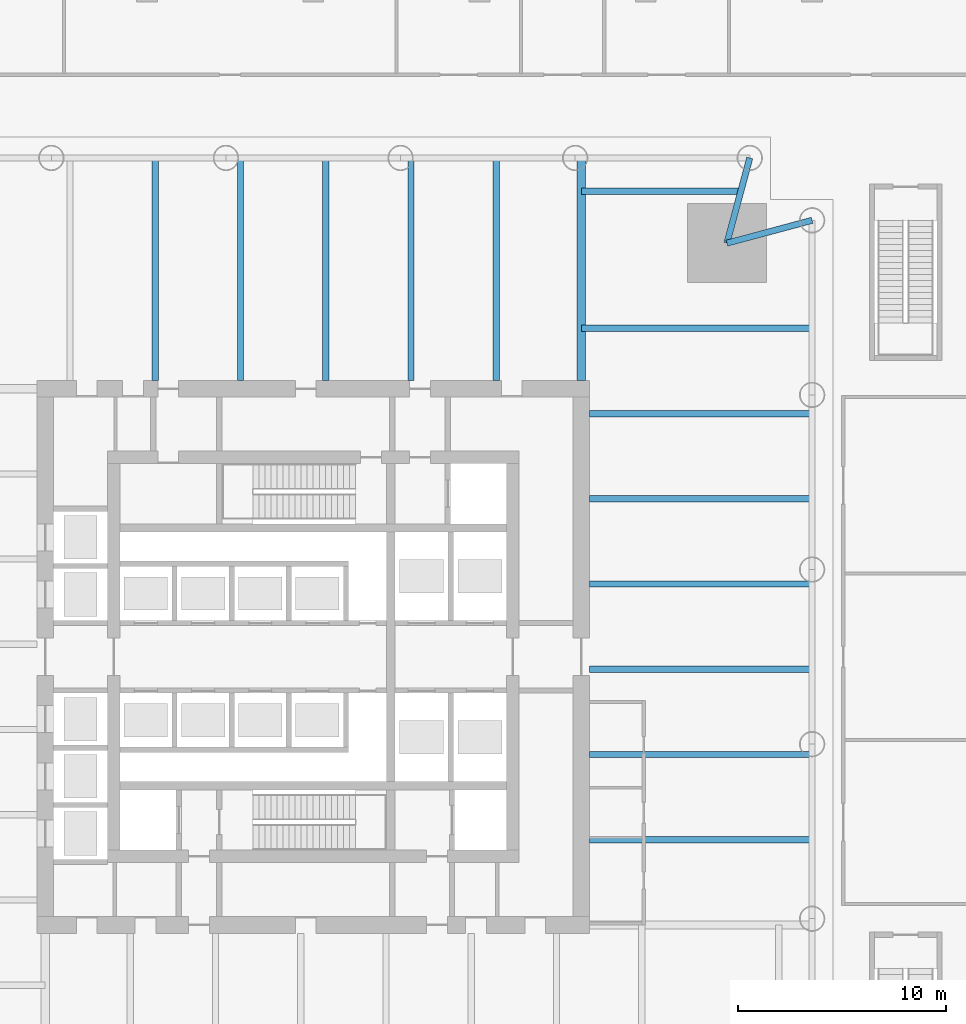
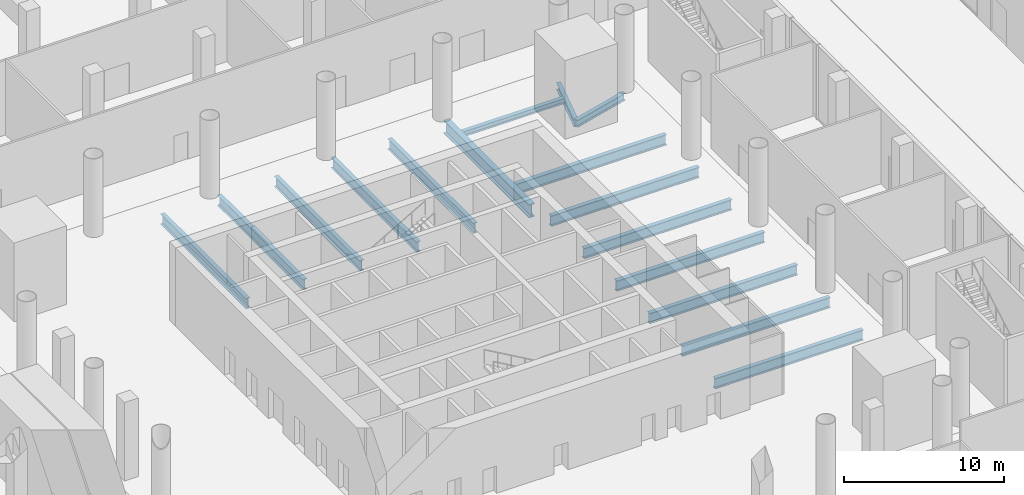
# One storey, part 8 of 39: 16 beams.
"""IFC4 building model written with IfcOpenShell, lengths in metres."""

from ifc_helpers import new_model, si_unit, direction, frame, origin, origin_2d, place, context, subcontext, project, spatial, i_section, extrude, material, material_profile, profile_set, type_object, element, save


model = new_model("IFC4")

# Units and contexts
model_context = context("Model", 3, precision=1e-05, world=origin(), true_north=direction((0.0, 1.0)))
body_context = subcontext(model_context, "Body", "Model", "MODEL_VIEW")
ifc_project = project(units=[si_unit("LENGTHUNIT", "METRE"), si_unit("AREAUNIT", "SQUARE_METRE"), si_unit("VOLUMEUNIT", "CUBIC_METRE"), si_unit("PLANEANGLEUNIT", "RADIAN"), si_unit("MASSUNIT", "GRAM", prefix="KILO")], contexts=[model_context])

# Site, building, storey
site_placement = place(None, origin())
site = spatial("IfcSite", under=ifc_project, at=site_placement, CompositionType="ELEMENT")
building_placement = place(site_placement, origin())
building = spatial("IfcBuilding", under=site, at=building_placement, Name="Ostroluk Exchange", CompositionType="ELEMENT")
storey_placement = place(building_placement, origin())
storey = spatial("IfcBuildingStorey", under=building, at=storey_placement, Name="L00", CompositionType="ELEMENT", Elevation=0.0)

# Beams
ifc_material_1 = material(Name="Steel S355", Category="steel")
ifc_material_profile_1 = material_profile(ifc_material_1, i_section(OverallWidth=0.300048828125, OverallDepth=0.550048828125, WebThickness=0.014892578125, FlangeThickness=0.029052734375, FilletRadius=0.027099609375, at=origin_2d()), Name="HEB 550")
ifc_profile_set_1 = profile_set([ifc_material_profile_1], Name="Steel S355")
beam_type_1 = type_object("IfcBeamType", Name="Corner edge beam HEB 550", PredefinedType="SPANDREL", material=ifc_profile_set_1)
for number, where, z_axis, x_axis, name in (
    (1, (64.89990234375, 65.89990234375, -0.574951171875), (0.965838624319, 0.259144268261, 0.0), (-0.259144268261, 0.965838624319, 0.0), "T1 east corner edge beam a"),
    (2, (64.89990234375, 65.89990234375, -0.574951171875), (0.259144268261, 0.965838624319, 0.0), (-0.965838624319, 0.259144268261, 0.0), "T1 east corner edge beam b"),
):
    element("IfcBeam", number, at=place(storey_placement, frame(where, z_axis=z_axis, x_axis=x_axis)), inside=storey, type_object=beam_type_1, Name=name, PredefinedType="SPANDREL", context=body_context, shape_type="SweptSolid", body=[
        extrude(i_section(OverallWidth=0.300048828125, OverallDepth=0.550048828125, WebThickness=0.014892578125, FlangeThickness=0.029052734375, FilletRadius=0.027099609375, at=origin_2d()), origin(), (0.0, 0.0, 1.0), 4.2451171875),
    ])
ifc_material_2 = material(Name="Steel S355", Category="steel")
ifc_material_profile_2 = material_profile(ifc_material_2, i_section(OverallWidth=0.300048828125, OverallDepth=0.39990234375, WebThickness=0.013427734375, FlangeThickness=0.02392578125, FilletRadius=0.027099609375, at=origin_2d()), Name="HEB 400")
ifc_profile_set_2 = profile_set([ifc_material_profile_2], Name="Steel S355")
beam_type_2 = type_object("IfcBeamType", Name="Floor beam HEB 400", PredefinedType="BEAM", material=ifc_profile_set_2)
beam_1_placement = place(storey_placement, frame((57.89990234375, 68.39990234375, -0.5), z_axis=(1.0, 0.0, 0.0), x_axis=(0.0, 1.0, 0.0)))
element("IfcBeam", 3, at=beam_1_placement, inside=storey, type_object=beam_type_2, Name="T1 east floor beam 8", PredefinedType="BEAM", context=body_context, shape_type="SweptSolid", body=[
    extrude(i_section(OverallWidth=0.300048828125, OverallDepth=0.39990234375, WebThickness=0.013427734375, FlangeThickness=0.02392578125, FilletRadius=0.027099609375, at=origin_2d()), origin(), (0.0, 0.0, 1.0), 7.6708984375),
])
ifc_material_3 = material(Name="Steel S355", Category="steel")
ifc_material_profile_3 = material_profile(ifc_material_3, i_section(OverallWidth=0.300048828125, OverallDepth=0.800048828125, WebThickness=0.017578125, FlangeThickness=0.032958984375, FilletRadius=0.030029296875, at=origin_2d()), Name="HEB 800")
ifc_profile_set_3 = profile_set([ifc_material_profile_3], Name="Steel S355")
beam_type_3 = type_object("IfcBeamType", Name="Floor beam HEB 800", PredefinedType="BEAM", material=ifc_profile_set_3)
for number, where, z_axis, x_axis, name in (
    (4, (58.300048828125, 37.199951171875, -0.699951171875), (1.0, 0.0, 0.0), (0.0, 1.0, 0.0), "T1 east floor beam 1"),
    (5, (58.300048828125, 41.300048828125, -0.699951171875), (1.0, 0.0, 0.0), (0.0, 1.0, 0.0), "T1 east floor beam 2"),
    (6, (58.300048828125, 45.39990234375, -0.699951171875), (1.0, 0.0, 0.0), (0.0, 1.0, 0.0), "T1 east floor beam 3"),
    (7, (58.300048828125, 49.5, -0.699951171875), (1.0, 0.0, 0.0), (0.0, 1.0, 0.0), "T1 east floor beam 4"),
    (8, (58.300048828125, 53.60009765625, -0.699951171875), (1.0, 0.0, 0.0), (0.0, 1.0, 0.0), "T1 east floor beam 5"),
    (9, (53.800048828125, 59.300048828125, -0.699951171875), (0.0, 1.0, 0.0), (-1.0, 0.0, 0.0), "T1 north floor beam 1"),
    (10, (49.699951171875, 59.300048828125, -0.699951171875), (0.0, 1.0, 0.0), (-1.0, 0.0, 0.0), "T1 north floor beam 2"),
    (11, (45.60009765625, 59.300048828125, -0.699951171875), (0.0, 1.0, 0.0), (-1.0, 0.0, 0.0), "T1 north floor beam 3"),
    (12, (41.5, 59.300048828125, -0.699951171875), (0.0, 1.0, 0.0), (-1.0, 0.0, 0.0), "T1 north floor beam 4"),
    (13, (37.39990234375, 59.300048828125, -0.699951171875), (0.0, 1.0, 0.0), (-1.0, 0.0, 0.0), "T1 north floor beam 5"),
):
    element("IfcBeam", number, at=place(storey_placement, frame(where, z_axis=z_axis, x_axis=x_axis)), inside=storey, type_object=beam_type_3, Name=name, PredefinedType="BEAM", context=body_context, shape_type="SweptSolid", body=[
        extrude(i_section(OverallWidth=0.300048828125, OverallDepth=0.800048828125, WebThickness=0.017578125, FlangeThickness=0.032958984375, FilletRadius=0.030029296875, at=origin_2d()), origin(), (0.0, 0.0, 1.0), 10.699951171875),
    ])
ifc_material_4 = material(Name="Steel S355", Category="steel")
ifc_material_profile_4 = material_profile(ifc_material_4, i_section(OverallWidth=0.302978515625, OverallDepth=0.81396484375, WebThickness=0.02099609375, FlangeThickness=0.0400390625, FilletRadius=0.030029296875, at=origin_2d()), Name="HEM 800")
ifc_profile_set_4 = profile_set([ifc_material_profile_4], Name="Steel S355")
beam_type_4 = type_object("IfcBeamType", Name="Floor beam HEM 800", PredefinedType="BEAM", material=ifc_profile_set_4)
beam_2_placement = place(storey_placement, frame((58.300048828125, 57.699951171875, -0.70703125), z_axis=(1.0, 0.0, 0.0), x_axis=(0.0, 1.0, 0.0)))
element("IfcBeam", 14, at=beam_2_placement, inside=storey, type_object=beam_type_4, Name="T1 east floor beam 6", PredefinedType="BEAM", context=body_context, shape_type="SweptSolid", body=[
    extrude(i_section(OverallWidth=0.302978515625, OverallDepth=0.81396484375, WebThickness=0.02099609375, FlangeThickness=0.0400390625, FilletRadius=0.030029296875, at=origin_2d()), origin(), (0.0, 0.0, 1.0), 10.699951171875),
])
beam_3_placement = place(storey_placement, frame((57.89990234375, 61.800048828125, -0.70703125), z_axis=(1.0, 0.0, 0.0), x_axis=(0.0, 1.0, 0.0)))
element("IfcBeam", 15, at=beam_3_placement, inside=storey, type_object=beam_type_4, Name="T1 east floor beam 7", PredefinedType="BEAM", context=body_context, shape_type="SweptSolid", body=[
    extrude(i_section(OverallWidth=0.302978515625, OverallDepth=0.81396484375, WebThickness=0.02099609375, FlangeThickness=0.0400390625, FilletRadius=0.030029296875, at=origin_2d()), origin(), (0.0, 0.0, 1.0), 11.10009765625),
])
ifc_material_5 = material(Name="Steel S355", Category="steel")
ifc_material_profile_5 = material_profile(ifc_material_5, i_section(OverallWidth=0.402099609375, OverallDepth=1.011962890625, WebThickness=0.035888671875, FlangeThickness=0.055908203125, FilletRadius=0.030029296875, at=origin_2d()), Name="HL 1000x443")
ifc_profile_set_5 = profile_set([ifc_material_profile_5], Name="Steel S355")
beam_type_5 = type_object("IfcBeamType", Name="Girder HL 1000x443", PredefinedType="BEAM", material=ifc_profile_set_5)
beam_4_placement = place(storey_placement, frame((57.89990234375, 59.300048828125, -0.805908203125), z_axis=(0.0, 1.0, 0.0), x_axis=(-1.0, 0.0, 0.0)))
element("IfcBeam", 16, at=beam_4_placement, inside=storey, type_object=beam_type_5, Name="T1 east girder", PredefinedType="BEAM", context=body_context, shape_type="SweptSolid", body=[
    extrude(i_section(OverallWidth=0.402099609375, OverallDepth=1.011962890625, WebThickness=0.035888671875, FlangeThickness=0.055908203125, FilletRadius=0.030029296875, at=origin_2d()), origin(), (0.0, 0.0, 1.0), 10.699951171875),
])

save(model, "model.ifc")
